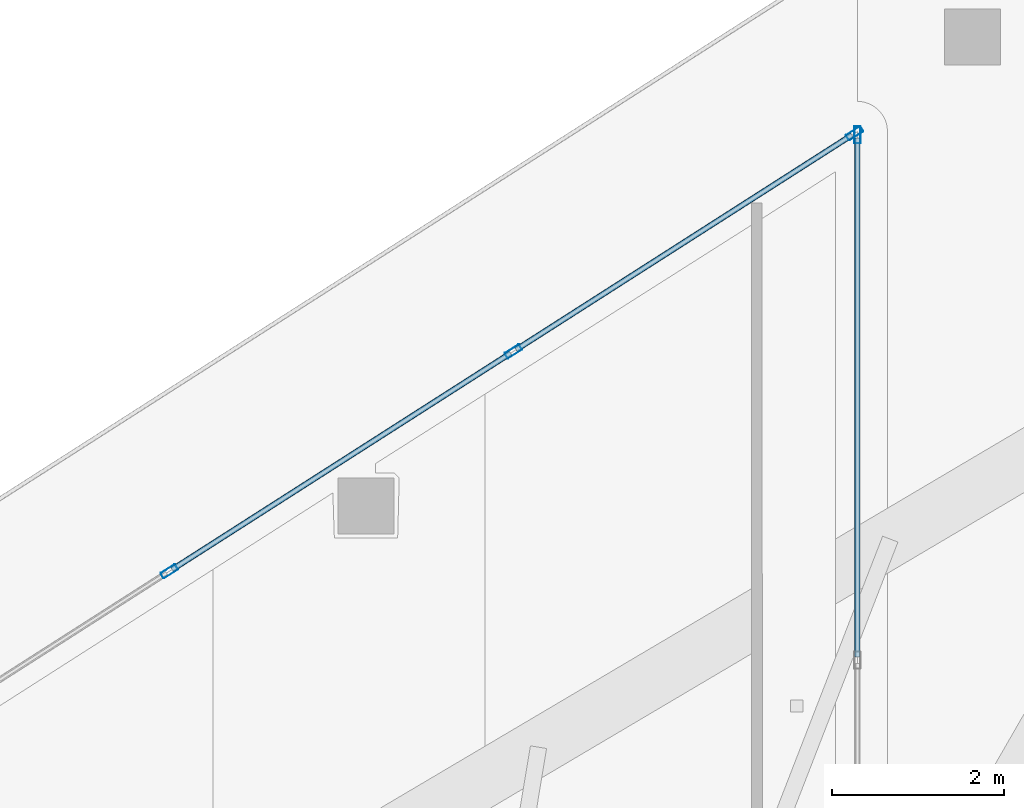
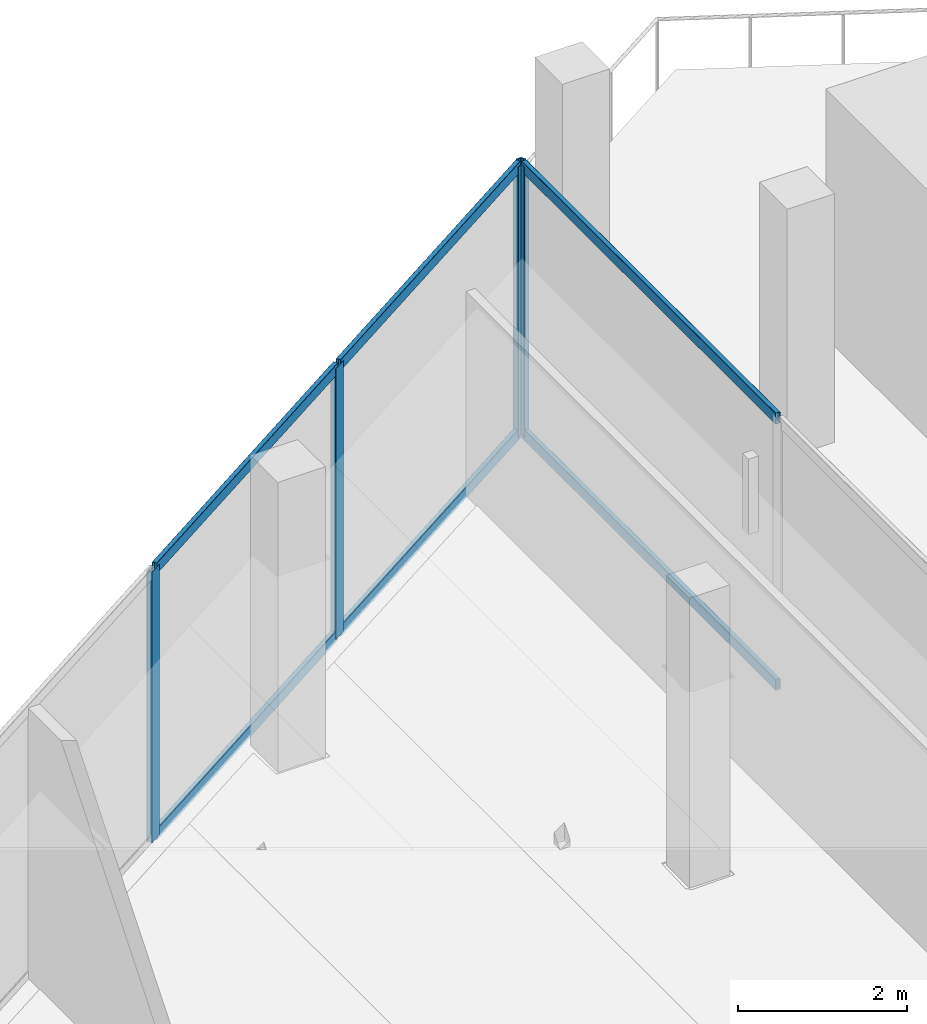
# One storey, part 23 of 47: 10 members, 2 elements without a shape of their own.
"""IFC4 building model written with IfcOpenShell, lengths in metres."""

from ifc_helpers import new_model, si_unit, direction, frame, origin, origin_2d, place, context, subcontext, project, spatial, hollow_rectangle, extrude, material, layer, layer_set, material_profile, profile_set, type_object, element, aggregate, save


model = new_model("IFC4")

# Units and contexts
model_context = context("Model", 3, precision=1e-05, world=origin(), true_north=direction((0.0, 1.0)))
body_context = subcontext(model_context, "Body", "Model", "MODEL_VIEW")
ifc_project = project(units=[si_unit("LENGTHUNIT", "METRE"), si_unit("AREAUNIT", "SQUARE_METRE"), si_unit("VOLUMEUNIT", "CUBIC_METRE"), si_unit("PLANEANGLEUNIT", "RADIAN"), si_unit("MASSUNIT", "GRAM", prefix="KILO")], contexts=[model_context])

# Site, building, storey
site_placement = place(None, origin())
site = spatial("IfcSite", under=ifc_project, at=site_placement, CompositionType="ELEMENT")
building_placement = place(site_placement, origin())
building = spatial("IfcBuilding", under=site, at=building_placement, Name="Qorvath Tower", CompositionType="ELEMENT")
storey_placement = place(building_placement, frame((0.0, 0.0, 82.800048828125)))
storey = spatial("IfcBuildingStorey", under=building, at=storey_placement, Name="L18", CompositionType="ELEMENT", Elevation=82.800048828125)

# Curtain wall, member
ifc_material_1 = material(Name="Anodised aluminium and triple low-E glass", Category="aluminium")
ifc_layer = layer(ifc_material_1, 0.179931640625)
ifc_layer_set = layer_set([ifc_layer], Name="CW-SYS-5")
curtain_wall_type = type_object("IfcCurtainWallType", Name="CW-SYS-5", PredefinedType="NOTDEFINED", material=ifc_layer_set)
curtain_wall_1_placement = place(storey_placement, origin())
curtain_wall_1 = element("IfcCurtainWall", 1, at=curtain_wall_1_placement, inside=storey, type_object=curtain_wall_type, Name="Curtain Wall CW-5 CW-T-L18-3.1", PredefinedType="NOTDEFINED")
ifc_material_2 = material(Name="Anodised aluminium 6063-T6", Category="aluminium")
ifc_material_profile_1 = material_profile(ifc_material_2, hollow_rectangle(XDim=0.074951171875, YDim=0.199951171875, WallThickness=0.00390625, InnerFilletRadius=0.00390625, OuterFilletRadius=0.008056640625, at=origin_2d()), Name="CWM 200x75")
ifc_profile_set_1 = profile_set([ifc_material_profile_1], Name="Anodised aluminium 6063-T6")
member_type_1 = type_object("IfcMemberType", Name="CWM-200", PredefinedType="MULLION", material=ifc_profile_set_1)
member_1_placement = place(storey_placement, frame((-19.3359375, 29.367431640625, 0.0), z_axis=(0.0, 0.0, 1.0), x_axis=(-1.0, 0.0, 0.0)))
member_1 = element("IfcMember", 2, at=member_1_placement, type_object=member_type_1, Name="CW-5 mullion 3", PredefinedType="MULLION", context=body_context, shape_type="SweptSolid", body=[
    extrude(hollow_rectangle(XDim=0.074951171875, YDim=0.199951171875, WallThickness=0.00390625, InnerFilletRadius=0.00390625, OuterFilletRadius=0.008056640625, at=origin_2d()), origin(), (0.0, 0.0, 1.0), 3.919921875),
])

# Curtain wall, members
curtain_wall_2_placement = place(storey_placement, origin())
curtain_wall_2 = element("IfcCurtainWall", 3, at=curtain_wall_2_placement, inside=storey, type_object=curtain_wall_type, Name="Curtain Wall CW-5 CW-T-L18-4.1", PredefinedType="NOTDEFINED")
member_2_placement = place(storey_placement, frame((-19.367431640625, 29.384765625, 0.0), z_axis=(0.0, 0.0, 1.0), x_axis=(0.538537596882, -0.84260148157, 0.0)))
member_2 = element("IfcMember", 4, at=member_2_placement, type_object=member_type_1, Name="CW-5 mullion 1", PredefinedType="MULLION", context=body_context, shape_type="SweptSolid", body=[
    extrude(hollow_rectangle(XDim=0.074951171875, YDim=0.199951171875, WallThickness=0.00390625, InnerFilletRadius=0.00390625, OuterFilletRadius=0.008056640625, at=origin_2d()), origin(), (0.0, 0.0, 1.0), 3.919921875),
])
member_3_placement = place(storey_placement, frame((-23.327880859375, 26.853515625, 0.0), z_axis=(0.0, 0.0, 1.0), x_axis=(0.538537596882, -0.84260148157, 0.0)))
member_3 = element("IfcMember", 5, at=member_3_placement, type_object=member_type_1, Name="CW-5 mullion 2", PredefinedType="MULLION", context=body_context, shape_type="SweptSolid", body=[
    extrude(hollow_rectangle(XDim=0.074951171875, YDim=0.199951171875, WallThickness=0.00390625, InnerFilletRadius=0.00390625, OuterFilletRadius=0.008056640625, at=origin_2d()), origin(), (0.0, 0.0, 1.0), 3.919921875),
])
member_4_placement = place(storey_placement, frame((-27.320068359375, 24.302001953125, 0.0), z_axis=(0.0, 0.0, 1.0), x_axis=(0.538537596882, -0.84260148157, 0.0)))
member_4 = element("IfcMember", 6, at=member_4_placement, type_object=member_type_1, Name="CW-5 mullion 3", PredefinedType="MULLION", context=body_context, shape_type="SweptSolid", body=[
    extrude(hollow_rectangle(XDim=0.074951171875, YDim=0.199951171875, WallThickness=0.00390625, InnerFilletRadius=0.00390625, OuterFilletRadius=0.008056640625, at=origin_2d()), origin(), (0.0, 0.0, 1.0), 3.919921875),
])

# Member
ifc_material_3 = material(Name="Anodised aluminium 6063-T6", Category="aluminium")
ifc_material_profile_2 = material_profile(ifc_material_3, hollow_rectangle(XDim=0.06494140625, YDim=0.159912109375, WallThickness=0.00341796875, InnerFilletRadius=0.00341796875, OuterFilletRadius=0.007080078125, at=origin_2d()), Name="CWT 160x65")
ifc_profile_set_2 = profile_set([ifc_material_profile_2], Name="Anodised aluminium 6063-T6")
member_type_2 = type_object("IfcMemberType", Name="CWT-160", PredefinedType="USERDEFINED", material=ifc_profile_set_2)
member_5_placement = place(storey_placement, frame((-19.3359375, 23.30810546875, 0.032470703125), z_axis=(0.0, 1.0, 0.0), x_axis=(-1.0, 0.0, 0.0)))
member_5 = element("IfcMember", 7, at=member_5_placement, type_object=member_type_2, Name="CW-5 transom 2.1", ObjectType="TRANSOM", PredefinedType="USERDEFINED", context=body_context, shape_type="SweptSolid", body=[
    extrude(hollow_rectangle(XDim=0.06494140625, YDim=0.159912109375, WallThickness=0.00341796875, InnerFilletRadius=0.00341796875, OuterFilletRadius=0.007080078125, at=origin_2d()), origin(), (0.0, 0.0, 1.0), 6.02197265625),
])

member_6_placement = place(storey_placement, frame((-19.3359375, 23.30810546875, 3.887451171875), z_axis=(0.0, 1.0, 0.0), x_axis=(-1.0, 0.0, 0.0)))
member_6 = element("IfcMember", 8, at=member_6_placement, type_object=member_type_2, Name="CW-5 transom 2.2", ObjectType="TRANSOM", PredefinedType="USERDEFINED", context=body_context, shape_type="SweptSolid", body=[
    extrude(hollow_rectangle(XDim=0.06494140625, YDim=0.159912109375, WallThickness=0.00341796875, InnerFilletRadius=0.00341796875, OuterFilletRadius=0.007080078125, at=origin_2d()), origin(), (0.0, 0.0, 1.0), 6.02197265625),
])

aggregate(curtain_wall_1, [member_1, member_5, member_6])

member_7_placement = place(storey_placement, frame((-19.399169921875, 29.364501953125, 0.032470703125), z_axis=(-0.842614425374, -0.538517344338, 0.0), x_axis=(0.538517344338, -0.842614425374, 0.0)))
member_7 = element("IfcMember", 9, at=member_7_placement, type_object=member_type_2, Name="CW-5 transom 1.1", ObjectType="TRANSOM", PredefinedType="USERDEFINED", context=body_context, shape_type="SweptSolid", body=[
    extrude(hollow_rectangle(XDim=0.06494140625, YDim=0.159912109375, WallThickness=0.00341796875, InnerFilletRadius=0.00341796875, OuterFilletRadius=0.007080078125, at=origin_2d()), origin(), (0.0, 0.0, 1.0), 4.625244140625),
])

member_8_placement = place(storey_placement, frame((-19.399169921875, 29.364501953125, 3.887451171875), z_axis=(-0.842614425374, -0.538517344338, 0.0), x_axis=(0.538517344338, -0.842614425374, 0.0)))
member_8 = element("IfcMember", 10, at=member_8_placement, type_object=member_type_2, Name="CW-5 transom 1.2", ObjectType="TRANSOM", PredefinedType="USERDEFINED", context=body_context, shape_type="SweptSolid", body=[
    extrude(hollow_rectangle(XDim=0.06494140625, YDim=0.159912109375, WallThickness=0.00341796875, InnerFilletRadius=0.00341796875, OuterFilletRadius=0.007080078125, at=origin_2d()), origin(), (0.0, 0.0, 1.0), 4.625244140625),
])

member_9_placement = place(storey_placement, frame((-23.359619140625, 26.833251953125, 0.032470703125), z_axis=(-0.842601221327, -0.538538004061, 0.0), x_axis=(0.538538004061, -0.842601221327, 0.0)))
member_9 = element("IfcMember", 11, at=member_9_placement, type_object=member_type_2, Name="CW-5 transom 2.1", ObjectType="TRANSOM", PredefinedType="USERDEFINED", context=body_context, shape_type="SweptSolid", body=[
    extrude(hollow_rectangle(XDim=0.06494140625, YDim=0.159912109375, WallThickness=0.00341796875, InnerFilletRadius=0.00341796875, OuterFilletRadius=0.007080078125, at=origin_2d()), origin(), (0.0, 0.0, 1.0), 4.66259765625),
])

member_10_placement = place(storey_placement, frame((-23.359619140625, 26.833251953125, 3.887451171875), z_axis=(-0.842601221327, -0.538538004061, 0.0), x_axis=(0.538538004061, -0.842601221327, 0.0)))
member_10 = element("IfcMember", 12, at=member_10_placement, type_object=member_type_2, Name="CW-5 transom 2.2", ObjectType="TRANSOM", PredefinedType="USERDEFINED", context=body_context, shape_type="SweptSolid", body=[
    extrude(hollow_rectangle(XDim=0.06494140625, YDim=0.159912109375, WallThickness=0.00341796875, InnerFilletRadius=0.00341796875, OuterFilletRadius=0.007080078125, at=origin_2d()), origin(), (0.0, 0.0, 1.0), 4.66259765625),
])

aggregate(curtain_wall_2, [member_2, member_3, member_4, member_7, member_8, member_9, member_10])

save(model, "model.ifc")
